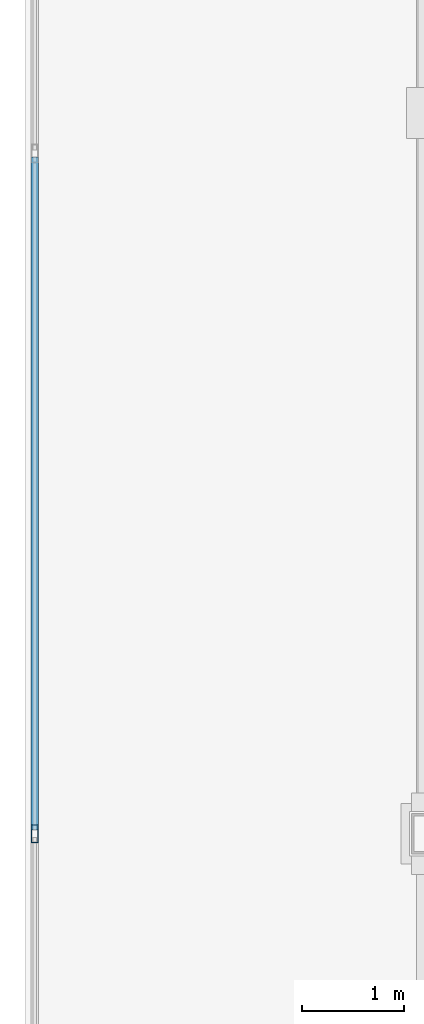
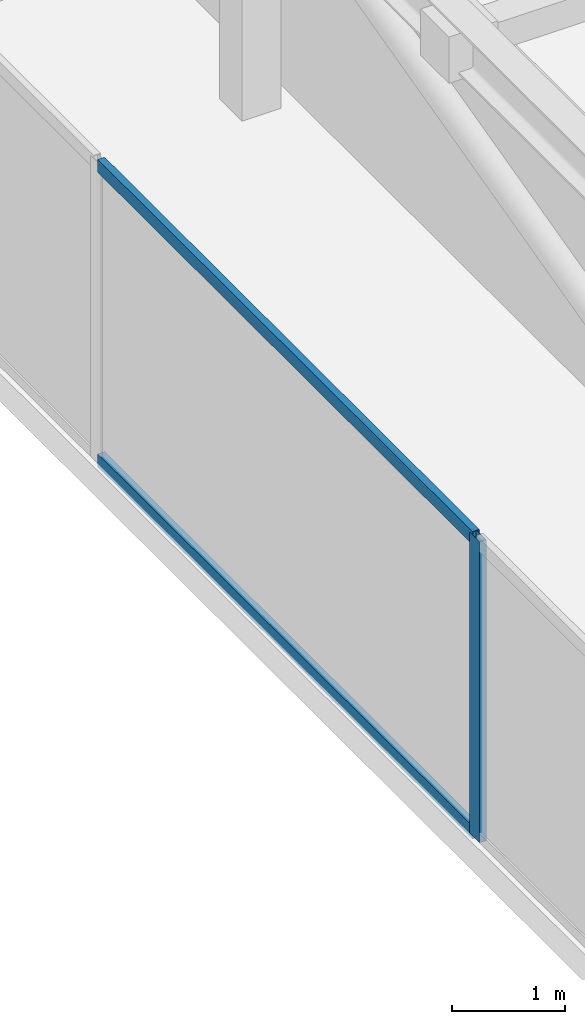
# One storey, part 7 of 16: 3 members, 1 element without a shape of its own.
"""IFC4 building model written with IfcOpenShell, lengths in metres."""

from ifc_helpers import new_model, si_unit, direction, frame, origin, origin_2d, place, context, subcontext, project, spatial, hollow_rectangle, extrude, source, transform, mapped, material, material_profile, profile_set, type_object, type_shapes, element, aggregate, save


model = new_model("IFC4")

# Units and contexts
model_context = context("Model", 3, precision=1e-05, world=origin(), true_north=direction((0.0, 1.0)))
body_context = subcontext(model_context, "Body", "Model", "MODEL_VIEW")
ifc_project = project(units=[si_unit("LENGTHUNIT", "METRE"), si_unit("AREAUNIT", "SQUARE_METRE"), si_unit("VOLUMEUNIT", "CUBIC_METRE"), si_unit("PLANEANGLEUNIT", "RADIAN"), si_unit("MASSUNIT", "GRAM", prefix="KILO")], contexts=[model_context])

# Site, building, storey
site_placement = place(None, origin())
site = spatial("IfcSite", under=ifc_project, at=site_placement, CompositionType="ELEMENT")
building_placement = place(site_placement, origin())
building = spatial("IfcBuilding", under=site, at=building_placement, Name="Krantzveldt Concourse Tower", CompositionType="ELEMENT")
storey_placement = place(building_placement, frame((0.0, 0.0, 385.449951171875)))
storey = spatial("IfcBuildingStorey", under=building, at=storey_placement, Name="L95", CompositionType="ELEMENT", Elevation=385.449951171875)

# Curtain wall, members
ifc_material = material(Name="Anodised aluminium 6063-T6", Category="aluminium")
curtain_wall_type = type_object("IfcCurtainWallType", Name="CW7", PredefinedType="USERDEFINED", material=ifc_material)
curtain_wall_placement = place(storey_placement, origin())
curtain_wall = element("IfcCurtainWall", 1, at=curtain_wall_placement, inside=storey, type_object=curtain_wall_type, Name="CW-L95-WEST-05", ObjectType="UNITISED CURTAIN WALL", PredefinedType="USERDEFINED")
ifc_material_profile_1 = material_profile(ifc_material, hollow_rectangle(XDim=0.070068359375, YDim=0.139892578125, WallThickness=0.0048828125, at=origin_2d()), Name="Anodised aluminium 6063-T6", Category="aluminium")
ifc_profile_set_1 = profile_set([ifc_material_profile_1], Name="Anodised aluminium 6063-T6 - ALU-TRAN 140x70x5")
member_type_1 = type_object("IfcMemberType", Name="CW-TRN-150", PredefinedType="USERDEFINED", material=ifc_profile_set_1)
shared_shape_1 = source(origin(), body_context, "Body", "SweptSolid", [
    extrude(hollow_rectangle(XDim=0.070068359375, YDim=0.139892578125, WallThickness=0.0048828125, at=origin_2d()), origin(), (0.0, 0.0, 1.0), 6.6298828125),
])
type_shapes(member_type_1, [shared_shape_1])
member_1_placement = place(storey_placement, frame((17.090087890625, 33.364990234375, 0.03515625), z_axis=(0.0, -1.0, 0.0), x_axis=(1.0, 0.0, 0.0)))
member_1 = element("IfcMember", 2, at=member_1_placement, type_object=member_type_1, Name="CW-CRN transom 2.1", ObjectType="TRANSOM", PredefinedType="USERDEFINED", context=body_context, shape_type="MappedRepresentation", body=[
    mapped(shared_shape_1, transform((0.0, 0.0, 0.0), x_axis=(1.0, 0.0, 0.0), y_axis=(0.0, 1.0, 0.0), z_axis=(0.0, 0.0, 1.0), scale=1.0)),
])
member_2_placement = place(storey_placement, frame((17.090087890625, 33.364990234375, 3.215087890625), z_axis=(0.0, -1.0, 0.0), x_axis=(1.0, 0.0, 0.0)))
member_2 = element("IfcMember", 3, at=member_2_placement, type_object=member_type_1, Name="CW-CRN transom 2.2", ObjectType="TRANSOM", PredefinedType="USERDEFINED", context=body_context, shape_type="MappedRepresentation", body=[
    mapped(shared_shape_1, transform((0.0, 0.0, 0.0), x_axis=(1.0, 0.0, 0.0), y_axis=(0.0, 1.0, 0.0), z_axis=(0.0, 0.0, 1.0), scale=1.0)),
])
ifc_material_profile_2 = material_profile(ifc_material, hollow_rectangle(XDim=0.070068359375, YDim=0.179931640625, WallThickness=0.0048828125, at=origin_2d()), Name="Anodised aluminium 6063-T6", Category="aluminium")
ifc_profile_set_2 = profile_set([ifc_material_profile_2], Name="Anodised aluminium 6063-T6 - ALU-MULL 180x70x5")
member_type_2 = type_object("IfcMemberType", Name="CW-MUL-180", PredefinedType="MULLION", material=ifc_profile_set_2)
shared_shape_2 = source(origin(), body_context, "Body", "SweptSolid", [
    extrude(hollow_rectangle(XDim=0.070068359375, YDim=0.179931640625, WallThickness=0.0048828125, at=origin_2d()), origin(), (0.0, 0.0, 1.0), 3.25),
])
type_shapes(member_type_2, [shared_shape_2])
member_3_placement = place(storey_placement, frame((17.090087890625, 26.699951171875, 0.0), z_axis=(0.0, 0.0, 1.0), x_axis=(1.0, 0.0, 0.0)))
member_3 = element("IfcMember", 4, at=member_3_placement, type_object=member_type_2, Name="CW-CRN mullion 3", PredefinedType="MULLION", context=body_context, shape_type="MappedRepresentation", body=[
    mapped(shared_shape_2, transform((0.0, 0.0, 0.0), x_axis=(1.0, 0.0, 0.0), y_axis=(0.0, 1.0, 0.0), z_axis=(0.0, 0.0, 1.0), scale=1.0)),
])
aggregate(curtain_wall, [member_3, member_1, member_2])

save(model, "model.ifc")
